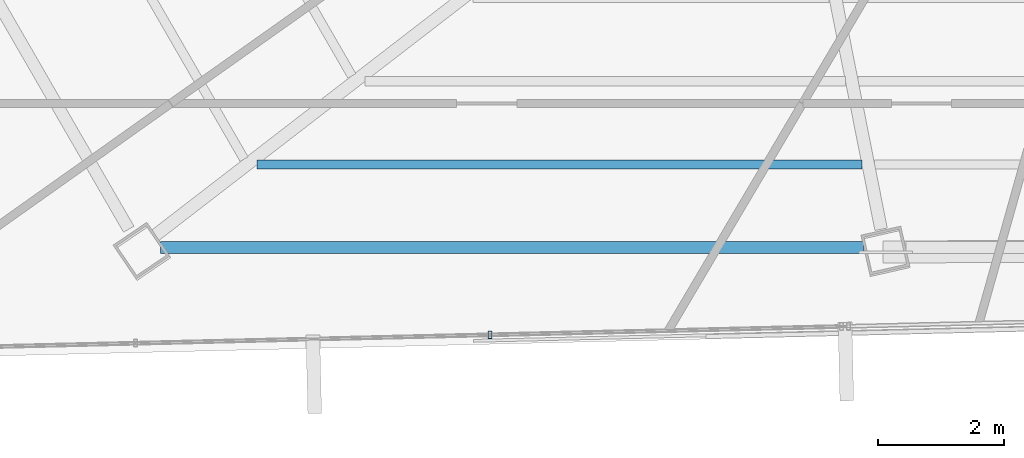
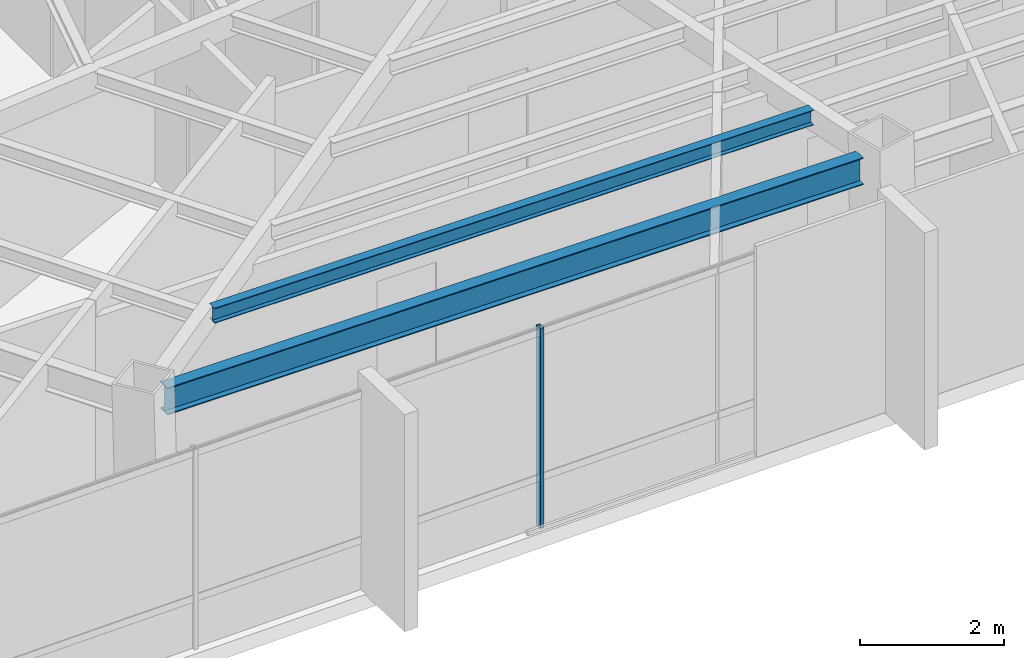
# One storey, part 5 of 44: 2 beams, 1 member, 1 element without a shape of its own.
"""IFC4 building model written with IfcOpenShell, lengths in metres."""

from ifc_helpers import new_model, si_unit, direction, frame, origin, origin_2d, place, context, subcontext, project, spatial, hollow_rectangle, i_section, extrude, source, transform, mapped, material, material_profile, profile_set, type_object, type_shapes, element, aggregate, save


model = new_model("IFC4")

# Units and contexts
model_context = context("Model", 3, precision=1e-05, world=origin(), true_north=direction((0.0, 1.0)))
body_context = subcontext(model_context, "Body", "Model", "MODEL_VIEW")
ifc_project = project(units=[si_unit("LENGTHUNIT", "METRE"), si_unit("AREAUNIT", "SQUARE_METRE"), si_unit("VOLUMEUNIT", "CUBIC_METRE"), si_unit("PLANEANGLEUNIT", "RADIAN"), si_unit("MASSUNIT", "GRAM", prefix="KILO")], contexts=[model_context])

# Site, building, storey
site_placement = place(None, origin())
site = spatial("IfcSite", under=ifc_project, at=site_placement, CompositionType="ELEMENT")
building_placement = place(site_placement, origin())
building = spatial("IfcBuilding", under=site, at=building_placement, Name="Caelisora Broadcast Tower", CompositionType="ELEMENT")
storey_placement = place(building_placement, frame((0.0, 0.0, 259.050048828125)))
storey = spatial("IfcBuildingStorey", under=building, at=storey_placement, Name="L68", CompositionType="ELEMENT", Elevation=259.050048828125)

# Beams
ifc_material_1 = material(Name="Steel Grade 350 (AS/NZS 3679.1)", Category="steel")
ifc_material_profile_1 = material_profile(ifc_material_1, i_section(OverallWidth=0.19091796875, OverallDepth=0.46044921875, WebThickness=0.010009765625, FlangeThickness=0.01611328125, at=origin_2d()), Name="Steel Grade 350 (AS/NZS 3679.1)")
ifc_profile_set_1 = profile_set([ifc_material_profile_1], Name="Steel Grade 350 (AS/NZS 3679.1)")
beam_type_1 = type_object("IfcBeamType", Name="PG06", PredefinedType="BEAM", material=ifc_profile_set_1)
shared_shape_1 = source(origin(), body_context, "Body", "SweptSolid", [
    extrude(i_section(OverallWidth=0.19091796875, OverallDepth=0.46044921875, WebThickness=0.010009765625, FlangeThickness=0.01611328125, at=origin_2d()), origin(), (0.0, 0.0, 1.0), 11.189697265625),
])
type_shapes(beam_type_1, [shared_shape_1])
beam_1_placement = place(storey_placement, frame((20.539306640625, 9.456787109375, 3.169677734375), z_axis=(1.0, 0.0, 0.0), x_axis=(0.0, 1.0, 0.0)))
element("IfcBeam", 1, at=beam_1_placement, inside=storey, type_object=beam_type_1, Name="L68 beam PG06", PredefinedType="BEAM", context=body_context, shape_type="MappedRepresentation", body=[
    mapped(shared_shape_1, transform((0.0, 0.0, 0.0), scale=1.0)),
])
ifc_material_profile_2 = material_profile(ifc_material_1, i_section(OverallWidth=0.14599609375, OverallDepth=0.256103515625, WebThickness=0.00634765625, FlangeThickness=0.010986328125, at=origin_2d()), Name="Steel Grade 350 (AS/NZS 3679.1)")
ifc_profile_set_2 = profile_set([ifc_material_profile_2], Name="Steel Grade 350 (AS/NZS 3679.1)")
beam_type_2 = type_object("IfcBeamType", Name="SB04", PredefinedType="JOIST", material=ifc_profile_set_2)
shared_shape_2 = source(origin(), body_context, "Body", "SweptSolid", [
    extrude(i_section(OverallWidth=0.14599609375, OverallDepth=0.256103515625, WebThickness=0.00634765625, FlangeThickness=0.010986328125, at=origin_2d()), origin(), (0.0, 0.0, 1.0), 9.628662109375),
])
type_shapes(beam_type_2, [shared_shape_2])
beam_2_placement = place(storey_placement, frame((22.078369140625, 10.780517578125, 3.27197265625), z_axis=(1.0, 0.0, 0.0), x_axis=(0.0, 1.0, 0.0)))
element("IfcBeam", 2, at=beam_2_placement, inside=storey, type_object=beam_type_2, Name="L68 beam SB04", PredefinedType="JOIST", context=body_context, shape_type="MappedRepresentation", body=[
    mapped(shared_shape_2, transform((0.0, 0.0, 0.0), scale=1.0)),
])

# Curtain wall, member
ifc_material_2 = material(Name="Unitised Aluminium and Low-E Glass Curtain Wall", Category="glass")
curtain_wall_type = type_object("IfcCurtainWallType", Name="CW-Z5", PredefinedType="NOTDEFINED", material=ifc_material_2)
curtain_wall_placement = place(storey_placement, origin())
curtain_wall = element("IfcCurtainWall", 3, at=curtain_wall_placement, inside=storey, type_object=curtain_wall_type, Name="L68 curtain wall CW-Z5", PredefinedType="NOTDEFINED")
ifc_material_3 = material(Name="Aluminium 6063-T6 Anodised Terracotta Bronze", Category="aluminium")
ifc_material_profile_3 = material_profile(ifc_material_3, hollow_rectangle(XDim=0.06005859375, YDim=0.1201171875, WallThickness=0.0029296875, at=origin_2d()), Name="Aluminium 6063-T6 Anodised Terracotta Bronze")
ifc_profile_set_3 = profile_set([ifc_material_profile_3], Name="Aluminium 6063-T6 Anodised Terracotta Bronze")
member_type = type_object("IfcMemberType", Name="CWM-04", PredefinedType="MULLION", material=ifc_profile_set_3)
shared_shape_3 = source(origin(), body_context, "Body", "SweptSolid", [
    extrude(hollow_rectangle(XDim=0.06005859375, YDim=0.1201171875, WallThickness=0.0029296875, at=origin_2d()), origin(), (0.0, 0.0, 1.0), 3.39990234375),
])
type_shapes(member_type, [shared_shape_3])
member_placement = place(storey_placement, frame((25.78564453125, 8.068115234375, 0.0), z_axis=(0.0, 0.0, 1.0), x_axis=(1.0, 0.0, 0.0)))
member = element("IfcMember", 4, at=member_placement, type_object=member_type, Name="L68-CW-B07 mullion #1", PredefinedType="MULLION", context=body_context, shape_type="MappedRepresentation", body=[
    mapped(shared_shape_3, transform((0.0, 0.0, 0.0), scale=1.0)),
])
aggregate(curtain_wall, [member])

save(model, "model.ifc")
